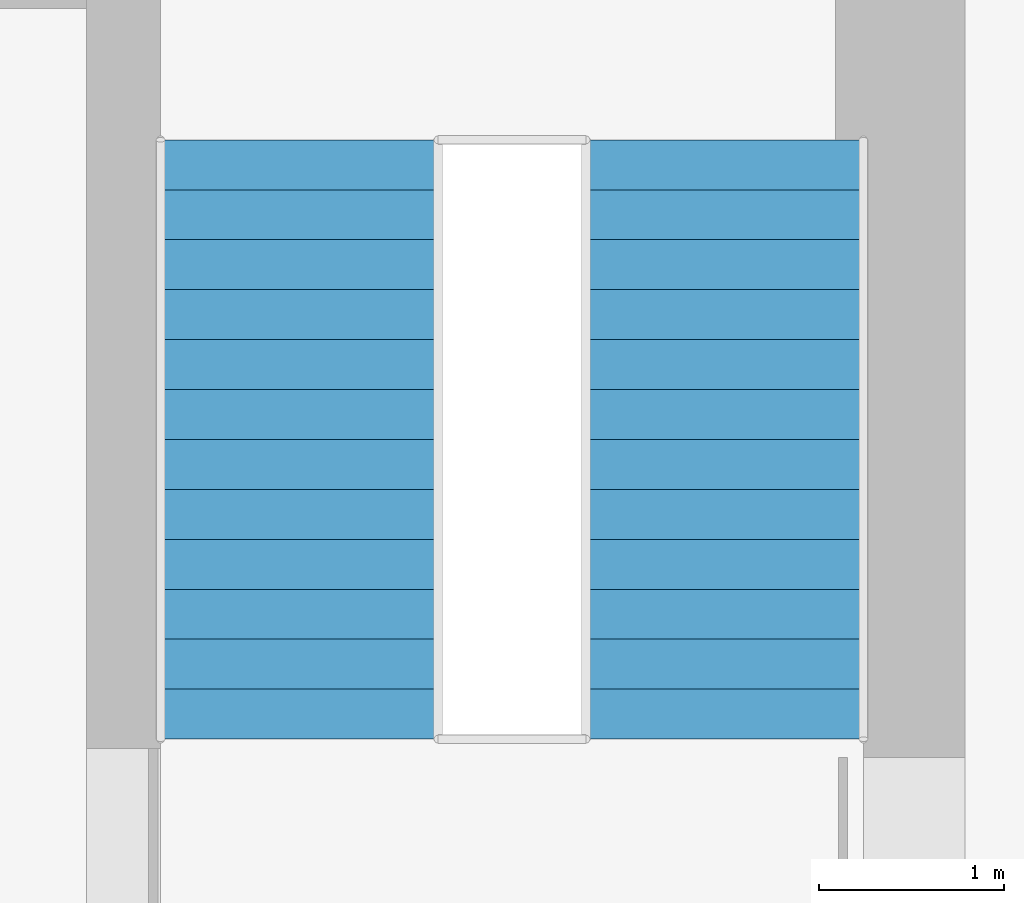
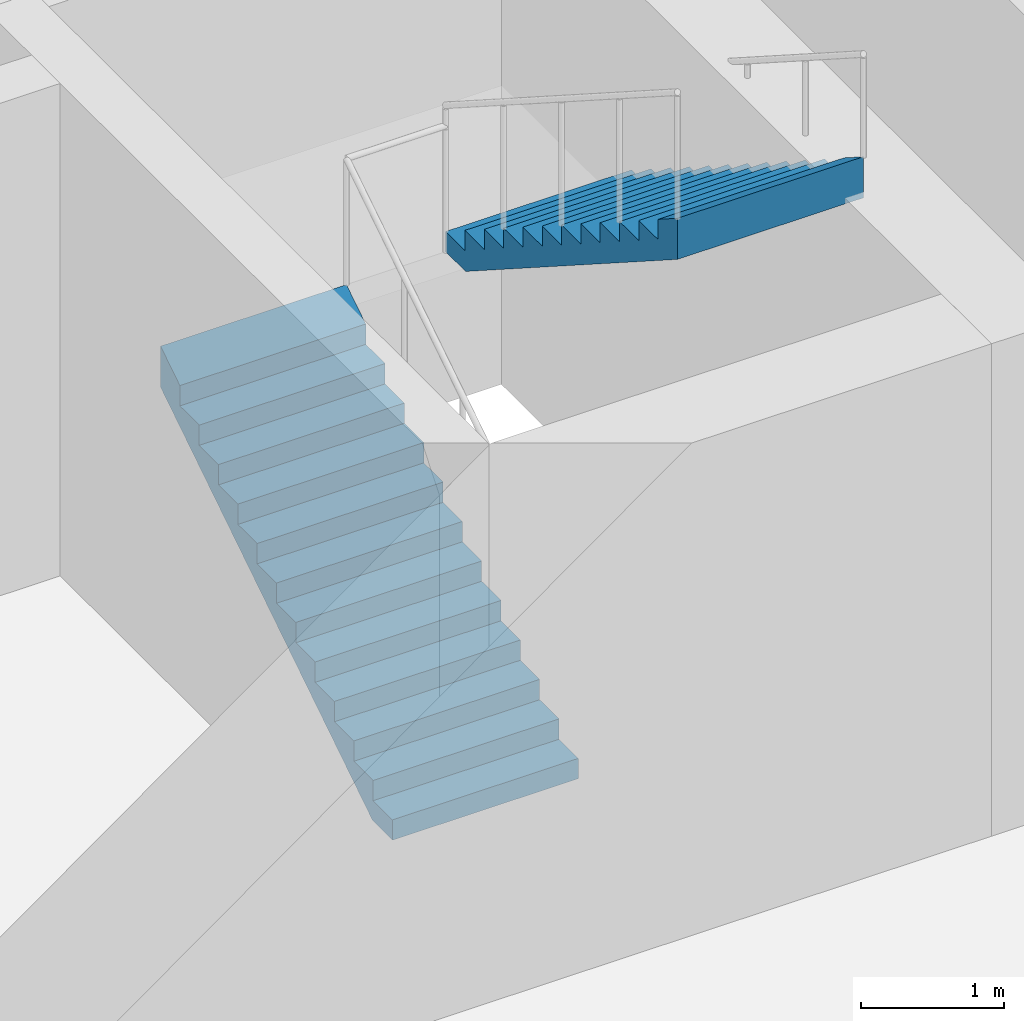
# One storey, part 5 of 8: 2 stair flights, 1 element without a shape of its own.
"""IFC4 building model written with IfcOpenShell, lengths in metres."""

from ifc_helpers import new_model, si_unit, direction, frame, origin, place, context, subcontext, project, spatial, triangles, material, type_object, element, aggregate, save


model = new_model("IFC4")

# Units and contexts
model_context = context("Model", 3, precision=1e-05, world=origin(), true_north=direction((0.0, 1.0)))
body_context = subcontext(model_context, "Body", "Model", "MODEL_VIEW")
ifc_project = project(units=[si_unit("LENGTHUNIT", "METRE"), si_unit("AREAUNIT", "SQUARE_METRE"), si_unit("VOLUMEUNIT", "CUBIC_METRE"), si_unit("PLANEANGLEUNIT", "RADIAN"), si_unit("MASSUNIT", "GRAM", prefix="KILO")], contexts=[model_context])

# Site, building, storey
site_placement = place(None, origin())
site = spatial("IfcSite", under=ifc_project, at=site_placement, CompositionType="ELEMENT")
building_placement = place(site_placement, origin())
building = spatial("IfcBuilding", under=site, at=building_placement, Name="Ludao Terraces", CompositionType="ELEMENT")
storey_placement = place(building_placement, frame((0.0, 0.0, 46.699951171875)))
storey = spatial("IfcBuildingStorey", under=building, at=storey_placement, Name="L12", CompositionType="ELEMENT", Elevation=46.699951171875)

# Stair, stair flights
ifc_material = material(Name="Concrete C40", Category="concrete")
stair_type = type_object("IfcStairType", Name="INT Stair", PredefinedType="HALF_TURN_STAIR", material=ifc_material)
stair_placement = place(storey_placement, origin())
stair = element("IfcStair", 1, at=stair_placement, inside=storey, type_object=stair_type, Name="EXIT STAIR 3", PredefinedType="HALF_TURN_STAIR")
stair_flight_type = type_object("IfcStairFlightType", Name="INT Stair flight", PredefinedType="STRAIGHT", material=ifc_material)
stair_flight_1_placement = place(storey_placement, frame((91.5, 56.949951171875, 0.0), z_axis=(0.0, 0.0, 1.0), x_axis=(0.0, 1.0, 0.0)))
stair_flight_1 = element("IfcStairFlight", 2, at=stair_flight_1_placement, type_object=stair_flight_type, Name="ST3 flight 1", NumberOfRisers=13, NumberOfTreads=12, PredefinedType="STRAIGHT", RiserHeight=0.173077, TreadLength=0.27, context=body_context, shape_type="Tessellation", body=[
    triangles([(0.0, -0.75, 0.0), (0.0, -0.5, 0.0), (0.0, -0.25, 0.0), (0.0, 0.0, 0.0), (0.0, 0.25, 0.0), (0.0, 0.5, 0.0), (0.0, 0.75, 0.0), (0.0, -0.75, 0.173095703125), (0.0, -0.5, 0.173095703125), (0.0, -0.25, 0.173095703125), (0.0, 0.0, 0.173095703125), (0.0, 0.25, 0.173095703125), (0.0, 0.5, 0.173095703125), (0.0, 0.75, 0.173095703125), (0.27001953125, -0.75, 0.173095703125), (0.27001953125, -0.5, 0.173095703125), (0.27001953125, -0.25, 0.173095703125), (0.27001953125, 0.0, 0.173095703125), (0.27001953125, 0.25, 0.173095703125), (0.27001953125, 0.5, 0.173095703125), (0.27001953125, 0.75, 0.173095703125), (0.27001953125, -0.75, 0.34619140625), (0.27001953125, -0.5, 0.34619140625), (0.27001953125, -0.25, 0.34619140625), (0.27001953125, 0.0, 0.34619140625), (0.27001953125, 0.25, 0.34619140625), (0.27001953125, 0.5, 0.34619140625), (0.27001953125, 0.75, 0.34619140625), (0.5400390625, -0.75, 0.34619140625), (0.5400390625, -0.5, 0.34619140625), (0.5400390625, -0.25, 0.34619140625), (0.5400390625, 0.0, 0.34619140625), (0.5400390625, 0.25, 0.34619140625), (0.5400390625, 0.5, 0.34619140625), (0.5400390625, 0.75, 0.34619140625), (0.5400390625, -0.75, 0.519287109375), (0.5400390625, -0.5, 0.519287109375), (0.5400390625, -0.25, 0.519287109375), (0.5400390625, 0.0, 0.519287109375), (0.5400390625, 0.25, 0.519287109375), (0.5400390625, 0.5, 0.519287109375), (0.5400390625, 0.75, 0.519287109375), (0.81005859375, -0.75, 0.519287109375), (0.81005859375, -0.5, 0.519287109375), (0.81005859375, -0.25, 0.519287109375), (0.81005859375, 0.0, 0.519287109375), (0.81005859375, 0.25, 0.519287109375), (0.81005859375, 0.5, 0.519287109375), (0.81005859375, 0.75, 0.519287109375), (0.81005859375, -0.75, 0.6923828125), (0.81005859375, -0.5, 0.6923828125), (0.81005859375, -0.25, 0.6923828125), (0.81005859375, 0.0, 0.6923828125), (0.81005859375, 0.25, 0.6923828125), (0.81005859375, 0.5, 0.6923828125), (0.81005859375, 0.75, 0.6923828125), (1.080078125, -0.75, 0.6923828125), (1.080078125, -0.5, 0.6923828125), (1.080078125, -0.25, 0.6923828125), (1.080078125, 0.0, 0.6923828125), (1.080078125, 0.25, 0.6923828125), (1.080078125, 0.5, 0.6923828125), (1.080078125, 0.75, 0.6923828125), (1.080078125, -0.75, 0.865478515625), (1.080078125, -0.5, 0.865478515625), (1.080078125, -0.25, 0.865478515625), (1.080078125, 0.0, 0.865478515625), (1.080078125, 0.25, 0.865478515625), (1.080078125, 0.5, 0.865478515625), (1.080078125, 0.75, 0.865478515625), (1.35009765625, -0.75, 0.865478515625), (1.35009765625, -0.5, 0.865478515625), (1.35009765625, -0.25, 0.865478515625), (1.35009765625, 0.0, 0.865478515625), (1.35009765625, 0.25, 0.865478515625), (1.35009765625, 0.5, 0.865478515625), (1.35009765625, 0.75, 0.865478515625), (1.35009765625, -0.75, 1.03857421875), (1.35009765625, -0.5, 1.03857421875), (1.35009765625, -0.25, 1.03857421875), (1.35009765625, 0.0, 1.03857421875), (1.35009765625, 0.25, 1.03857421875), (1.35009765625, 0.5, 1.03857421875), (1.35009765625, 0.75, 1.03857421875), (1.6201171875, -0.75, 1.03857421875), (1.6201171875, -0.5, 1.03857421875), (1.6201171875, -0.25, 1.03857421875), (1.6201171875, 0.0, 1.03857421875), (1.6201171875, 0.25, 1.03857421875), (1.6201171875, 0.5, 1.03857421875), (1.6201171875, 0.75, 1.03857421875), (1.6201171875, -0.75, 1.21142578125), (1.6201171875, -0.5, 1.21142578125), (1.6201171875, -0.25, 1.21142578125), (1.6201171875, 0.0, 1.21142578125), (1.6201171875, 0.25, 1.21142578125), (1.6201171875, 0.5, 1.21142578125), (1.6201171875, 0.75, 1.21142578125), (1.889892578125, -0.75, 1.21142578125), (1.889892578125, -0.5, 1.21142578125), (1.889892578125, -0.25, 1.21142578125), (1.889892578125, 0.0, 1.21142578125), (1.889892578125, 0.25, 1.21142578125), (1.889892578125, 0.5, 1.21142578125), (1.889892578125, 0.75, 1.21142578125), (1.889892578125, -0.75, 1.384521484375), (1.889892578125, -0.5, 1.384521484375), (1.889892578125, -0.25, 1.384521484375), (1.889892578125, 0.0, 1.384521484375), (1.889892578125, 0.25, 1.384521484375), (1.889892578125, 0.5, 1.384521484375), (1.889892578125, 0.75, 1.384521484375), (2.159912109375, -0.75, 1.384521484375), (2.159912109375, -0.5, 1.384521484375), (2.159912109375, -0.25, 1.384521484375), (2.159912109375, 0.0, 1.384521484375), (2.159912109375, 0.25, 1.384521484375), (2.159912109375, 0.5, 1.384521484375), (2.159912109375, 0.75, 1.384521484375), (2.159912109375, -0.75, 1.5576171875), (2.159912109375, -0.5, 1.5576171875), (2.159912109375, -0.25, 1.5576171875), (2.159912109375, 0.0, 1.5576171875), (2.159912109375, 0.25, 1.5576171875), (2.159912109375, 0.5, 1.5576171875), (2.159912109375, 0.75, 1.5576171875), (2.429931640625, -0.75, 1.5576171875), (2.429931640625, -0.5, 1.5576171875), (2.429931640625, -0.25, 1.5576171875), (2.429931640625, 0.0, 1.5576171875), (2.429931640625, 0.25, 1.5576171875), (2.429931640625, 0.5, 1.5576171875), (2.429931640625, 0.75, 1.5576171875), (2.429931640625, -0.75, 1.730712890625), (2.429931640625, -0.5, 1.730712890625), (2.429931640625, -0.25, 1.730712890625), (2.429931640625, 0.0, 1.730712890625), (2.429931640625, 0.25, 1.730712890625), (2.429931640625, 0.5, 1.730712890625), (2.429931640625, 0.75, 1.730712890625), (2.699951171875, -0.75, 1.730712890625), (2.699951171875, -0.5, 1.730712890625), (2.699951171875, -0.25, 1.730712890625), (2.699951171875, 0.0, 1.730712890625), (2.699951171875, 0.25, 1.730712890625), (2.699951171875, 0.5, 1.730712890625), (2.699951171875, 0.75, 1.730712890625), (2.699951171875, -0.75, 1.90380859375), (2.699951171875, -0.5, 1.90380859375), (2.699951171875, -0.25, 1.90380859375), (2.699951171875, 0.0, 1.90380859375), (2.699951171875, 0.25, 1.90380859375), (2.699951171875, 0.5, 1.90380859375), (2.699951171875, 0.75, 1.90380859375), (2.969970703125, -0.75, 1.90380859375), (2.969970703125, -0.5, 1.90380859375), (2.969970703125, -0.25, 1.90380859375), (2.969970703125, 0.0, 1.90380859375), (2.969970703125, 0.25, 1.90380859375), (2.969970703125, 0.5, 1.90380859375), (2.969970703125, 0.75, 1.90380859375), (2.969970703125, -0.75, 2.076904296875), (2.969970703125, -0.5, 2.076904296875), (2.969970703125, -0.25, 2.076904296875), (2.969970703125, 0.0, 2.076904296875), (2.969970703125, 0.25, 2.076904296875), (2.969970703125, 0.5, 2.076904296875), (2.969970703125, 0.75, 2.076904296875), (3.239990234375, -0.75, 2.25), (3.239990234375, -0.5, 2.25), (3.239990234375, -0.25, 2.25), (3.239990234375, 0.0, 2.25), (3.239990234375, 0.25, 2.25), (3.239990234375, 0.5, 2.25), (3.239990234375, 0.75, 2.25), (3.239990234375, -0.75, 1.89892578125), (3.239990234375, -0.5, 1.89892578125), (3.239990234375, -0.25, 1.89892578125), (3.239990234375, 0.0, 1.89892578125), (3.239990234375, 0.25, 1.89892578125), (3.239990234375, 0.5, 1.89892578125), (3.239990234375, 0.75, 1.89892578125), (0.27783203125, -0.75, 0.0), (0.27783203125, -0.5, 0.0), (0.27783203125, -0.25, 0.0), (0.27783203125, 0.0, 0.0), (0.27783203125, 0.25, 0.0), (0.27783203125, 0.5, 0.0), (0.27783203125, 0.75, 0.0)], [[1, 183, 176], [7, 182, 189], [176, 169, 162], [182, 168, 175], [176, 162, 155], [182, 161, 168], [176, 155, 148], [182, 154, 161], [176, 148, 141], [182, 147, 154], [141, 134, 127], [147, 133, 140], [176, 141, 127], [182, 133, 147], [127, 120, 113], [133, 119, 126], [176, 127, 113], [182, 119, 133], [113, 106, 99], [119, 105, 112], [176, 113, 99], [182, 105, 119], [1, 176, 99], [7, 105, 182], [99, 92, 85], [105, 91, 98], [85, 78, 71], [91, 77, 84], [99, 85, 71], [105, 77, 91], [71, 64, 57], [77, 63, 70], [99, 71, 57], [105, 63, 77], [57, 50, 43], [63, 49, 56], [99, 57, 43], [105, 49, 63], [43, 36, 29], [49, 35, 42], [99, 43, 29], [105, 35, 49], [29, 22, 15], [35, 21, 28], [99, 29, 15], [105, 21, 35], [1, 99, 15], [7, 21, 105], [15, 8, 1], [21, 7, 14], [1, 9, 2], [1, 8, 9], [2, 10, 3], [2, 9, 10], [3, 11, 4], [3, 10, 11], [4, 12, 5], [4, 11, 12], [5, 13, 6], [5, 12, 13], [6, 14, 7], [6, 13, 14], [8, 16, 9], [8, 15, 16], [9, 17, 10], [9, 16, 17], [10, 18, 11], [10, 17, 18], [11, 19, 12], [11, 18, 19], [12, 20, 13], [12, 19, 20], [13, 21, 14], [13, 20, 21], [15, 23, 16], [15, 22, 23], [16, 24, 17], [16, 23, 24], [17, 25, 18], [17, 24, 25], [18, 26, 19], [18, 25, 26], [19, 27, 20], [19, 26, 27], [20, 28, 21], [20, 27, 28], [22, 30, 23], [22, 29, 30], [23, 31, 24], [23, 30, 31], [24, 32, 25], [24, 31, 32], [25, 33, 26], [25, 32, 33], [26, 34, 27], [26, 33, 34], [27, 35, 28], [27, 34, 35], [29, 37, 30], [29, 36, 37], [30, 38, 31], [30, 37, 38], [31, 39, 32], [31, 38, 39], [32, 40, 33], [32, 39, 40], [33, 41, 34], [33, 40, 41], [34, 42, 35], [34, 41, 42], [36, 44, 37], [36, 43, 44], [37, 45, 38], [37, 44, 45], [38, 46, 39], [38, 45, 46], [39, 47, 40], [39, 46, 47], [40, 48, 41], [40, 47, 48], [41, 49, 42], [41, 48, 49], [43, 51, 44], [43, 50, 51], [44, 52, 45], [44, 51, 52], [45, 53, 46], [45, 52, 53], [46, 54, 47], [46, 53, 54], [47, 55, 48], [47, 54, 55], [48, 56, 49], [48, 55, 56], [50, 58, 51], [50, 57, 58], [51, 59, 52], [51, 58, 59], [52, 60, 53], [52, 59, 60], [53, 61, 54], [53, 60, 61], [54, 62, 55], [54, 61, 62], [55, 63, 56], [55, 62, 63], [57, 65, 58], [57, 64, 65], [58, 66, 59], [58, 65, 66], [59, 67, 60], [59, 66, 67], [60, 68, 61], [60, 67, 68], [61, 69, 62], [61, 68, 69], [62, 70, 63], [62, 69, 70], [64, 72, 65], [64, 71, 72], [65, 73, 66], [65, 72, 73], [66, 74, 67], [66, 73, 74], [67, 75, 68], [67, 74, 75], [68, 76, 69], [68, 75, 76], [69, 77, 70], [69, 76, 77], [71, 79, 72], [71, 78, 79], [72, 80, 73], [72, 79, 80], [73, 81, 74], [73, 80, 81], [74, 82, 75], [74, 81, 82], [75, 83, 76], [75, 82, 83], [76, 84, 77], [76, 83, 84], [78, 86, 79], [78, 85, 86], [79, 87, 80], [79, 86, 87], [80, 88, 81], [80, 87, 88], [81, 89, 82], [81, 88, 89], [82, 90, 83], [82, 89, 90], [83, 91, 84], [83, 90, 91], [85, 93, 86], [85, 92, 93], [86, 94, 87], [86, 93, 94], [87, 95, 88], [87, 94, 95], [88, 96, 89], [88, 95, 96], [89, 97, 90], [89, 96, 97], [90, 98, 91], [90, 97, 98], [92, 100, 93], [92, 99, 100], [93, 101, 94], [93, 100, 101], [94, 102, 95], [94, 101, 102], [95, 103, 96], [95, 102, 103], [96, 104, 97], [96, 103, 104], [97, 105, 98], [97, 104, 105], [99, 107, 100], [99, 106, 107], [100, 108, 101], [100, 107, 108], [101, 109, 102], [101, 108, 109], [102, 110, 103], [102, 109, 110], [103, 111, 104], [103, 110, 111], [104, 112, 105], [104, 111, 112], [106, 114, 107], [106, 113, 114], [107, 115, 108], [107, 114, 115], [108, 116, 109], [108, 115, 116], [109, 117, 110], [109, 116, 117], [110, 118, 111], [110, 117, 118], [111, 119, 112], [111, 118, 119], [113, 121, 114], [113, 120, 121], [114, 122, 115], [114, 121, 122], [115, 123, 116], [115, 122, 123], [116, 124, 117], [116, 123, 124], [117, 125, 118], [117, 124, 125], [118, 126, 119], [118, 125, 126], [120, 128, 121], [120, 127, 128], [121, 129, 122], [121, 128, 129], [122, 130, 123], [122, 129, 130], [123, 131, 124], [123, 130, 131], [124, 132, 125], [124, 131, 132], [125, 133, 126], [125, 132, 133], [127, 135, 128], [127, 134, 135], [128, 136, 129], [128, 135, 136], [129, 137, 130], [129, 136, 137], [130, 138, 131], [130, 137, 138], [131, 139, 132], [131, 138, 139], [132, 140, 133], [132, 139, 140], [134, 142, 135], [134, 141, 142], [135, 143, 136], [135, 142, 143], [136, 144, 137], [136, 143, 144], [137, 145, 138], [137, 144, 145], [138, 146, 139], [138, 145, 146], [139, 147, 140], [139, 146, 147], [141, 149, 142], [141, 148, 149], [142, 150, 143], [142, 149, 150], [143, 151, 144], [143, 150, 151], [144, 152, 145], [144, 151, 152], [145, 153, 146], [145, 152, 153], [146, 154, 147], [146, 153, 154], [148, 156, 149], [148, 155, 156], [149, 157, 150], [149, 156, 157], [150, 158, 151], [150, 157, 158], [151, 159, 152], [151, 158, 159], [152, 160, 153], [152, 159, 160], [153, 161, 154], [153, 160, 161], [155, 163, 156], [155, 162, 163], [156, 164, 157], [156, 163, 164], [157, 165, 158], [157, 164, 165], [158, 166, 159], [158, 165, 166], [159, 167, 160], [159, 166, 167], [160, 168, 161], [160, 167, 168], [162, 170, 163], [162, 169, 170], [163, 171, 164], [163, 170, 171], [164, 172, 165], [164, 171, 172], [165, 173, 166], [165, 172, 173], [166, 174, 167], [166, 173, 174], [167, 175, 168], [167, 174, 175], [169, 177, 170], [169, 176, 177], [170, 178, 171], [170, 177, 178], [171, 179, 172], [171, 178, 179], [172, 180, 173], [172, 179, 180], [173, 181, 174], [173, 180, 181], [174, 182, 175], [174, 181, 182], [176, 184, 177], [176, 183, 184], [177, 185, 178], [177, 184, 185], [178, 186, 179], [178, 185, 186], [179, 187, 180], [179, 186, 187], [180, 188, 181], [180, 187, 188], [181, 189, 182], [181, 188, 189], [183, 2, 184], [183, 1, 2], [184, 3, 185], [184, 2, 3], [185, 4, 186], [185, 3, 4], [186, 5, 187], [186, 4, 5], [187, 6, 188], [187, 5, 6], [188, 7, 189], [188, 6, 7]], closed=True),
])
stair_flight_2_placement = place(storey_placement, frame((93.800048828125, 60.18994140625, 2.25), z_axis=(0.0, 0.0, 1.0), x_axis=(0.0, -1.0, 0.0)))
stair_flight_2 = element("IfcStairFlight", 3, at=stair_flight_2_placement, type_object=stair_flight_type, Name="ST3 flight 2", NumberOfRisers=13, NumberOfTreads=12, PredefinedType="STRAIGHT", RiserHeight=0.173077, TreadLength=0.27, context=body_context, shape_type="Tessellation", body=[
    triangles([(0.0, -0.75, 0.0), (0.0, -0.5, 0.0), (0.0, -0.25, 0.0), (0.0, 0.0, 0.0), (0.0, 0.25, 0.0), (0.0, 0.5, 0.0), (0.0, 0.75, 0.0), (0.0, -0.75, 0.173095703125), (0.0, -0.5, 0.173095703125), (0.0, -0.25, 0.173095703125), (0.0, 0.0, 0.173095703125), (0.0, 0.25, 0.173095703125), (0.0, 0.5, 0.173095703125), (0.0, 0.75, 0.173095703125), (0.27001953125, -0.75, 0.173095703125), (0.27001953125, -0.5, 0.173095703125), (0.27001953125, -0.25, 0.173095703125), (0.27001953125, 0.0, 0.173095703125), (0.27001953125, 0.25, 0.173095703125), (0.27001953125, 0.5, 0.173095703125), (0.27001953125, 0.75, 0.173095703125), (0.27001953125, -0.75, 0.34619140625), (0.27001953125, -0.5, 0.34619140625), (0.27001953125, -0.25, 0.34619140625), (0.27001953125, 0.0, 0.34619140625), (0.27001953125, 0.25, 0.34619140625), (0.27001953125, 0.5, 0.34619140625), (0.27001953125, 0.75, 0.34619140625), (0.5400390625, -0.75, 0.34619140625), (0.5400390625, -0.5, 0.34619140625), (0.5400390625, -0.25, 0.34619140625), (0.5400390625, 0.0, 0.34619140625), (0.5400390625, 0.25, 0.34619140625), (0.5400390625, 0.5, 0.34619140625), (0.5400390625, 0.75, 0.34619140625), (0.5400390625, -0.75, 0.519287109375), (0.5400390625, -0.5, 0.519287109375), (0.5400390625, -0.25, 0.519287109375), (0.5400390625, 0.0, 0.519287109375), (0.5400390625, 0.25, 0.519287109375), (0.5400390625, 0.5, 0.519287109375), (0.5400390625, 0.75, 0.519287109375), (0.81005859375, -0.75, 0.519287109375), (0.81005859375, -0.5, 0.519287109375), (0.81005859375, -0.25, 0.519287109375), (0.81005859375, 0.0, 0.519287109375), (0.81005859375, 0.25, 0.519287109375), (0.81005859375, 0.5, 0.519287109375), (0.81005859375, 0.75, 0.519287109375), (0.81005859375, -0.75, 0.6923828125), (0.81005859375, -0.5, 0.6923828125), (0.81005859375, -0.25, 0.6923828125), (0.81005859375, 0.0, 0.6923828125), (0.81005859375, 0.25, 0.6923828125), (0.81005859375, 0.5, 0.6923828125), (0.81005859375, 0.75, 0.6923828125), (1.080078125, -0.75, 0.6923828125), (1.080078125, -0.5, 0.6923828125), (1.080078125, -0.25, 0.6923828125), (1.080078125, 0.0, 0.6923828125), (1.080078125, 0.25, 0.6923828125), (1.080078125, 0.5, 0.6923828125), (1.080078125, 0.75, 0.6923828125), (1.080078125, -0.75, 0.865478515625), (1.080078125, -0.5, 0.865478515625), (1.080078125, -0.25, 0.865478515625), (1.080078125, 0.0, 0.865478515625), (1.080078125, 0.25, 0.865478515625), (1.080078125, 0.5, 0.865478515625), (1.080078125, 0.75, 0.865478515625), (1.35009765625, -0.75, 0.865478515625), (1.35009765625, -0.5, 0.865478515625), (1.35009765625, -0.25, 0.865478515625), (1.35009765625, 0.0, 0.865478515625), (1.35009765625, 0.25, 0.865478515625), (1.35009765625, 0.5, 0.865478515625), (1.35009765625, 0.75, 0.865478515625), (1.35009765625, -0.75, 1.03857421875), (1.35009765625, -0.5, 1.03857421875), (1.35009765625, -0.25, 1.03857421875), (1.35009765625, 0.0, 1.03857421875), (1.35009765625, 0.25, 1.03857421875), (1.35009765625, 0.5, 1.03857421875), (1.35009765625, 0.75, 1.03857421875), (1.6201171875, -0.75, 1.03857421875), (1.6201171875, -0.5, 1.03857421875), (1.6201171875, -0.25, 1.03857421875), (1.6201171875, 0.0, 1.03857421875), (1.6201171875, 0.25, 1.03857421875), (1.6201171875, 0.5, 1.03857421875), (1.6201171875, 0.75, 1.03857421875), (1.6201171875, -0.75, 1.21142578125), (1.6201171875, -0.5, 1.21142578125), (1.6201171875, -0.25, 1.21142578125), (1.6201171875, 0.0, 1.21142578125), (1.6201171875, 0.25, 1.21142578125), (1.6201171875, 0.5, 1.21142578125), (1.6201171875, 0.75, 1.21142578125), (1.889892578125, -0.75, 1.21142578125), (1.889892578125, -0.5, 1.21142578125), (1.889892578125, -0.25, 1.21142578125), (1.889892578125, 0.0, 1.21142578125), (1.889892578125, 0.25, 1.21142578125), (1.889892578125, 0.5, 1.21142578125), (1.889892578125, 0.75, 1.21142578125), (1.889892578125, -0.75, 1.384521484375), (1.889892578125, -0.5, 1.384521484375), (1.889892578125, -0.25, 1.384521484375), (1.889892578125, 0.0, 1.384521484375), (1.889892578125, 0.25, 1.384521484375), (1.889892578125, 0.5, 1.384521484375), (1.889892578125, 0.75, 1.384521484375), (2.159912109375, -0.75, 1.384521484375), (2.159912109375, -0.5, 1.384521484375), (2.159912109375, -0.25, 1.384521484375), (2.159912109375, 0.0, 1.384521484375), (2.159912109375, 0.25, 1.384521484375), (2.159912109375, 0.5, 1.384521484375), (2.159912109375, 0.75, 1.384521484375), (2.159912109375, -0.75, 1.5576171875), (2.159912109375, -0.5, 1.5576171875), (2.159912109375, -0.25, 1.5576171875), (2.159912109375, 0.0, 1.5576171875), (2.159912109375, 0.25, 1.5576171875), (2.159912109375, 0.5, 1.5576171875), (2.159912109375, 0.75, 1.5576171875), (2.429931640625, -0.75, 1.5576171875), (2.429931640625, -0.5, 1.5576171875), (2.429931640625, -0.25, 1.5576171875), (2.429931640625, 0.0, 1.5576171875), (2.429931640625, 0.25, 1.5576171875), (2.429931640625, 0.5, 1.5576171875), (2.429931640625, 0.75, 1.5576171875), (2.429931640625, -0.75, 1.730712890625), (2.429931640625, -0.5, 1.730712890625), (2.429931640625, -0.25, 1.730712890625), (2.429931640625, 0.0, 1.730712890625), (2.429931640625, 0.25, 1.730712890625), (2.429931640625, 0.5, 1.730712890625), (2.429931640625, 0.75, 1.730712890625), (2.699951171875, -0.75, 1.730712890625), (2.699951171875, -0.5, 1.730712890625), (2.699951171875, -0.25, 1.730712890625), (2.699951171875, 0.0, 1.730712890625), (2.699951171875, 0.25, 1.730712890625), (2.699951171875, 0.5, 1.730712890625), (2.699951171875, 0.75, 1.730712890625), (2.699951171875, -0.75, 1.90380859375), (2.699951171875, -0.5, 1.90380859375), (2.699951171875, -0.25, 1.90380859375), (2.699951171875, 0.0, 1.90380859375), (2.699951171875, 0.25, 1.90380859375), (2.699951171875, 0.5, 1.90380859375), (2.699951171875, 0.75, 1.90380859375), (2.969970703125, -0.75, 1.90380859375), (2.969970703125, -0.5, 1.90380859375), (2.969970703125, -0.25, 1.90380859375), (2.969970703125, 0.0, 1.90380859375), (2.969970703125, 0.25, 1.90380859375), (2.969970703125, 0.5, 1.90380859375), (2.969970703125, 0.75, 1.90380859375), (2.969970703125, -0.75, 2.076904296875), (2.969970703125, -0.5, 2.076904296875), (2.969970703125, -0.25, 2.076904296875), (2.969970703125, 0.0, 2.076904296875), (2.969970703125, 0.25, 2.076904296875), (2.969970703125, 0.5, 2.076904296875), (2.969970703125, 0.75, 2.076904296875), (3.239990234375, -0.75, 2.25), (3.239990234375, -0.5, 2.25), (3.239990234375, -0.25, 2.25), (3.239990234375, 0.0, 2.25), (3.239990234375, 0.25, 2.25), (3.239990234375, 0.5, 2.25), (3.239990234375, 0.75, 2.25), (3.239990234375, -0.75, 1.89892578125), (3.239990234375, -0.5, 1.89892578125), (3.239990234375, -0.25, 1.89892578125), (3.239990234375, 0.0, 1.89892578125), (3.239990234375, 0.25, 1.89892578125), (3.239990234375, 0.5, 1.89892578125), (3.239990234375, 0.75, 1.89892578125), (0.27783203125, -0.75, 0.0), (0.27783203125, -0.5, 0.0), (0.27783203125, -0.25, 0.0), (0.27783203125, 0.0, 0.0), (0.27783203125, 0.25, 0.0), (0.27783203125, 0.5, 0.0), (0.27783203125, 0.75, 0.0)], [[1, 183, 176], [7, 182, 189], [176, 169, 162], [182, 168, 175], [176, 162, 155], [182, 161, 168], [176, 155, 148], [182, 154, 161], [176, 148, 141], [182, 147, 154], [141, 134, 127], [147, 133, 140], [176, 141, 127], [182, 133, 147], [127, 120, 113], [133, 119, 126], [176, 127, 113], [182, 119, 133], [113, 106, 99], [119, 105, 112], [176, 113, 99], [182, 105, 119], [1, 176, 99], [7, 105, 182], [99, 92, 85], [105, 91, 98], [85, 78, 71], [91, 77, 84], [99, 85, 71], [105, 77, 91], [71, 64, 57], [77, 63, 70], [99, 71, 57], [105, 63, 77], [57, 50, 43], [63, 49, 56], [99, 57, 43], [105, 49, 63], [43, 36, 29], [49, 35, 42], [99, 43, 29], [105, 35, 49], [29, 22, 15], [35, 21, 28], [99, 29, 15], [105, 21, 35], [1, 99, 15], [7, 21, 105], [15, 8, 1], [21, 7, 14], [1, 9, 2], [1, 8, 9], [2, 10, 3], [2, 9, 10], [3, 11, 4], [3, 10, 11], [4, 12, 5], [4, 11, 12], [5, 13, 6], [5, 12, 13], [6, 14, 7], [6, 13, 14], [8, 16, 9], [8, 15, 16], [9, 17, 10], [9, 16, 17], [10, 18, 11], [10, 17, 18], [11, 19, 12], [11, 18, 19], [12, 20, 13], [12, 19, 20], [13, 21, 14], [13, 20, 21], [15, 23, 16], [15, 22, 23], [16, 24, 17], [16, 23, 24], [17, 25, 18], [17, 24, 25], [18, 26, 19], [18, 25, 26], [19, 27, 20], [19, 26, 27], [20, 28, 21], [20, 27, 28], [22, 30, 23], [22, 29, 30], [23, 31, 24], [23, 30, 31], [24, 32, 25], [24, 31, 32], [25, 33, 26], [25, 32, 33], [26, 34, 27], [26, 33, 34], [27, 35, 28], [27, 34, 35], [29, 37, 30], [29, 36, 37], [30, 38, 31], [30, 37, 38], [31, 39, 32], [31, 38, 39], [32, 40, 33], [32, 39, 40], [33, 41, 34], [33, 40, 41], [34, 42, 35], [34, 41, 42], [36, 44, 37], [36, 43, 44], [37, 45, 38], [37, 44, 45], [38, 46, 39], [38, 45, 46], [39, 47, 40], [39, 46, 47], [40, 48, 41], [40, 47, 48], [41, 49, 42], [41, 48, 49], [43, 51, 44], [43, 50, 51], [44, 52, 45], [44, 51, 52], [45, 53, 46], [45, 52, 53], [46, 54, 47], [46, 53, 54], [47, 55, 48], [47, 54, 55], [48, 56, 49], [48, 55, 56], [50, 58, 51], [50, 57, 58], [51, 59, 52], [51, 58, 59], [52, 60, 53], [52, 59, 60], [53, 61, 54], [53, 60, 61], [54, 62, 55], [54, 61, 62], [55, 63, 56], [55, 62, 63], [57, 65, 58], [57, 64, 65], [58, 66, 59], [58, 65, 66], [59, 67, 60], [59, 66, 67], [60, 68, 61], [60, 67, 68], [61, 69, 62], [61, 68, 69], [62, 70, 63], [62, 69, 70], [64, 72, 65], [64, 71, 72], [65, 73, 66], [65, 72, 73], [66, 74, 67], [66, 73, 74], [67, 75, 68], [67, 74, 75], [68, 76, 69], [68, 75, 76], [69, 77, 70], [69, 76, 77], [71, 79, 72], [71, 78, 79], [72, 80, 73], [72, 79, 80], [73, 81, 74], [73, 80, 81], [74, 82, 75], [74, 81, 82], [75, 83, 76], [75, 82, 83], [76, 84, 77], [76, 83, 84], [78, 86, 79], [78, 85, 86], [79, 87, 80], [79, 86, 87], [80, 88, 81], [80, 87, 88], [81, 89, 82], [81, 88, 89], [82, 90, 83], [82, 89, 90], [83, 91, 84], [83, 90, 91], [85, 93, 86], [85, 92, 93], [86, 94, 87], [86, 93, 94], [87, 95, 88], [87, 94, 95], [88, 96, 89], [88, 95, 96], [89, 97, 90], [89, 96, 97], [90, 98, 91], [90, 97, 98], [92, 100, 93], [92, 99, 100], [93, 101, 94], [93, 100, 101], [94, 102, 95], [94, 101, 102], [95, 103, 96], [95, 102, 103], [96, 104, 97], [96, 103, 104], [97, 105, 98], [97, 104, 105], [99, 107, 100], [99, 106, 107], [100, 108, 101], [100, 107, 108], [101, 109, 102], [101, 108, 109], [102, 110, 103], [102, 109, 110], [103, 111, 104], [103, 110, 111], [104, 112, 105], [104, 111, 112], [106, 114, 107], [106, 113, 114], [107, 115, 108], [107, 114, 115], [108, 116, 109], [108, 115, 116], [109, 117, 110], [109, 116, 117], [110, 118, 111], [110, 117, 118], [111, 119, 112], [111, 118, 119], [113, 121, 114], [113, 120, 121], [114, 122, 115], [114, 121, 122], [115, 123, 116], [115, 122, 123], [116, 124, 117], [116, 123, 124], [117, 125, 118], [117, 124, 125], [118, 126, 119], [118, 125, 126], [120, 128, 121], [120, 127, 128], [121, 129, 122], [121, 128, 129], [122, 130, 123], [122, 129, 130], [123, 131, 124], [123, 130, 131], [124, 132, 125], [124, 131, 132], [125, 133, 126], [125, 132, 133], [127, 135, 128], [127, 134, 135], [128, 136, 129], [128, 135, 136], [129, 137, 130], [129, 136, 137], [130, 138, 131], [130, 137, 138], [131, 139, 132], [131, 138, 139], [132, 140, 133], [132, 139, 140], [134, 142, 135], [134, 141, 142], [135, 143, 136], [135, 142, 143], [136, 144, 137], [136, 143, 144], [137, 145, 138], [137, 144, 145], [138, 146, 139], [138, 145, 146], [139, 147, 140], [139, 146, 147], [141, 149, 142], [141, 148, 149], [142, 150, 143], [142, 149, 150], [143, 151, 144], [143, 150, 151], [144, 152, 145], [144, 151, 152], [145, 153, 146], [145, 152, 153], [146, 154, 147], [146, 153, 154], [148, 156, 149], [148, 155, 156], [149, 157, 150], [149, 156, 157], [150, 158, 151], [150, 157, 158], [151, 159, 152], [151, 158, 159], [152, 160, 153], [152, 159, 160], [153, 161, 154], [153, 160, 161], [155, 163, 156], [155, 162, 163], [156, 164, 157], [156, 163, 164], [157, 165, 158], [157, 164, 165], [158, 166, 159], [158, 165, 166], [159, 167, 160], [159, 166, 167], [160, 168, 161], [160, 167, 168], [162, 170, 163], [162, 169, 170], [163, 171, 164], [163, 170, 171], [164, 172, 165], [164, 171, 172], [165, 173, 166], [165, 172, 173], [166, 174, 167], [166, 173, 174], [167, 175, 168], [167, 174, 175], [169, 177, 170], [169, 176, 177], [170, 178, 171], [170, 177, 178], [171, 179, 172], [171, 178, 179], [172, 180, 173], [172, 179, 180], [173, 181, 174], [173, 180, 181], [174, 182, 175], [174, 181, 182], [176, 184, 177], [176, 183, 184], [177, 185, 178], [177, 184, 185], [178, 186, 179], [178, 185, 186], [179, 187, 180], [179, 186, 187], [180, 188, 181], [180, 187, 188], [181, 189, 182], [181, 188, 189], [183, 2, 184], [183, 1, 2], [184, 3, 185], [184, 2, 3], [185, 4, 186], [185, 3, 4], [186, 5, 187], [186, 4, 5], [187, 6, 188], [187, 5, 6], [188, 7, 189], [188, 6, 7]], closed=True),
])
aggregate(stair, [stair_flight_1, stair_flight_2])

save(model, "model.ifc")
